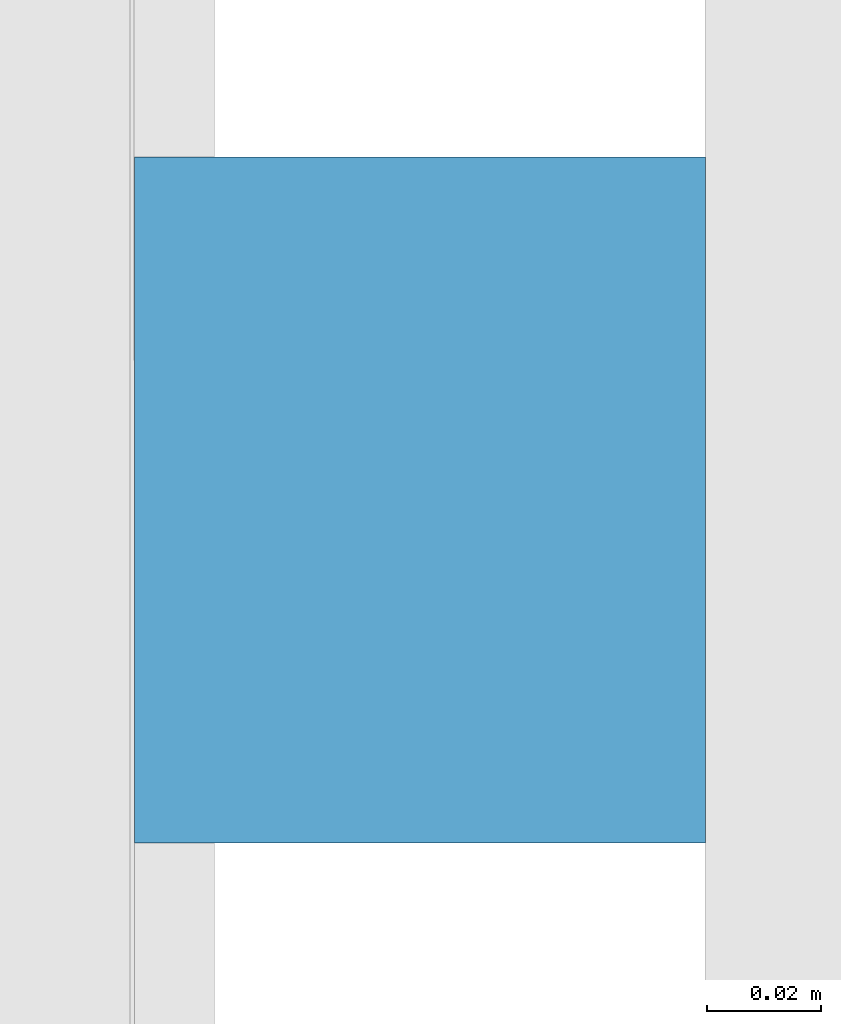
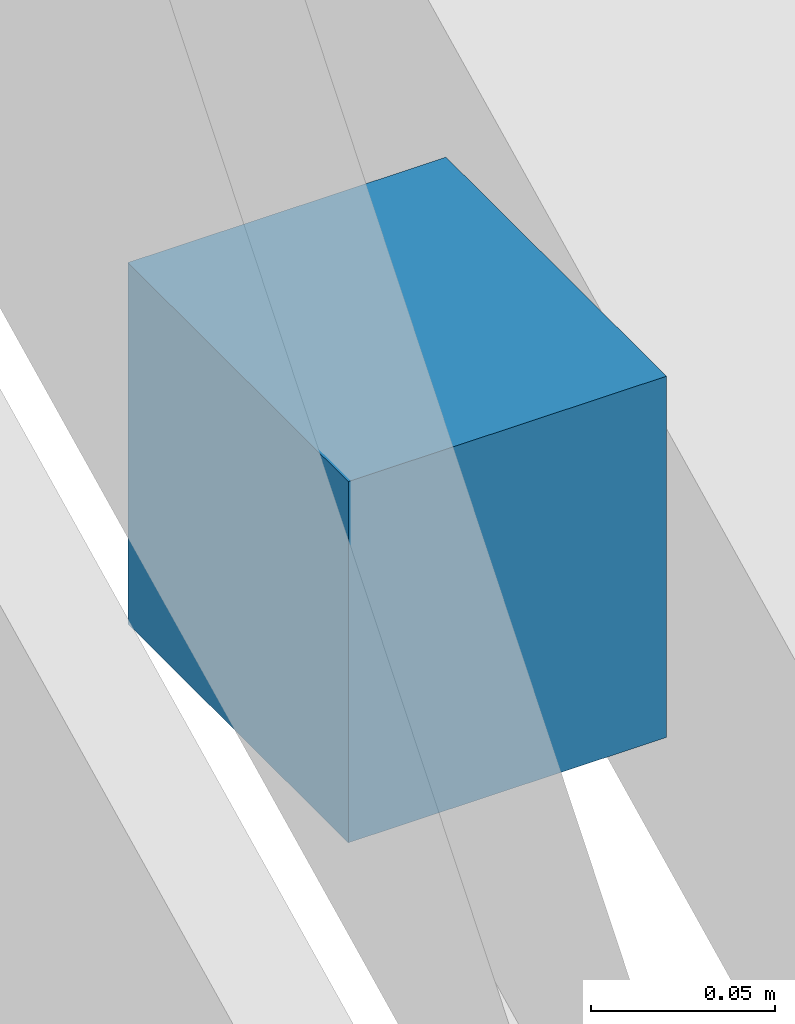
# One storey, part 21 of 22: 1 discrete accessory.
"""IFC4 building model written with IfcOpenShell, lengths in metres."""

from ifc_helpers import new_model, si_unit, direction, frame, origin, origin_2d, place, context, subcontext, project, spatial, rectangle, extrude, material, type_object, element, save


model = new_model("IFC4")

# Units and contexts
model_context = context("Model", 3, precision=1e-05, world=origin(), true_north=direction((0.0, 1.0)))
body_context = subcontext(model_context, "Body", "Model", "MODEL_VIEW")
ifc_project = project(units=[si_unit("LENGTHUNIT", "METRE"), si_unit("AREAUNIT", "SQUARE_METRE"), si_unit("VOLUMEUNIT", "CUBIC_METRE"), si_unit("PLANEANGLEUNIT", "RADIAN"), si_unit("MASSUNIT", "GRAM", prefix="KILO")], contexts=[model_context])

# Site, building, storey
site_placement = place(None, origin())
site = spatial("IfcSite", under=ifc_project, at=site_placement, CompositionType="ELEMENT")
building_placement = place(site_placement, origin())
building = spatial("IfcBuilding", under=site, at=building_placement, Name="Crosswind Convention Tower", CompositionType="ELEMENT")
storey_placement = place(building_placement, frame((0.0, 0.0, 163.10009765625)))
storey = spatial("IfcBuildingStorey", under=building, at=storey_placement, Name="L34", CompositionType="ELEMENT", Elevation=163.10009765625)

# Discrete accessory
ifc_material = material(Name="Stainless steel", Category="steel")
discrete_accessory_type = type_object("IfcDiscreteAccessoryType", Name="BAGUETTE BRACKET BK3", PredefinedType="BRACKET", material=ifc_material)
discrete_accessory_placement = place(storey_placement, frame((161.72607421875, 91.767578125, 1.704833984375), z_axis=(0.0, 0.0, 1.0), x_axis=(0.0, 1.0, 0.0)))
element("IfcDiscreteAccessory", 1, at=discrete_accessory_placement, inside=storey, type_object=discrete_accessory_type, Name="BK3 baguette bracket", PredefinedType="BRACKET", context=body_context, shape_type="SweptSolid", body=[
    extrude(rectangle(XDim=0.1201171875, YDim=0.10009765625, at=origin_2d()), origin(), (0.0, 0.0, 1.0), 0.1201171875),
])

save(model, "model.ifc")
